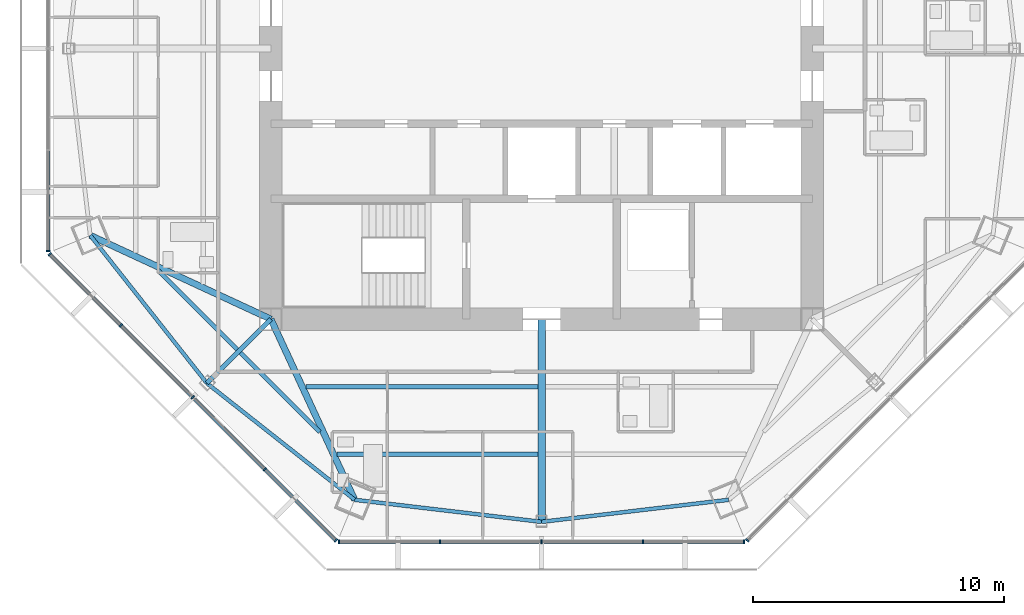
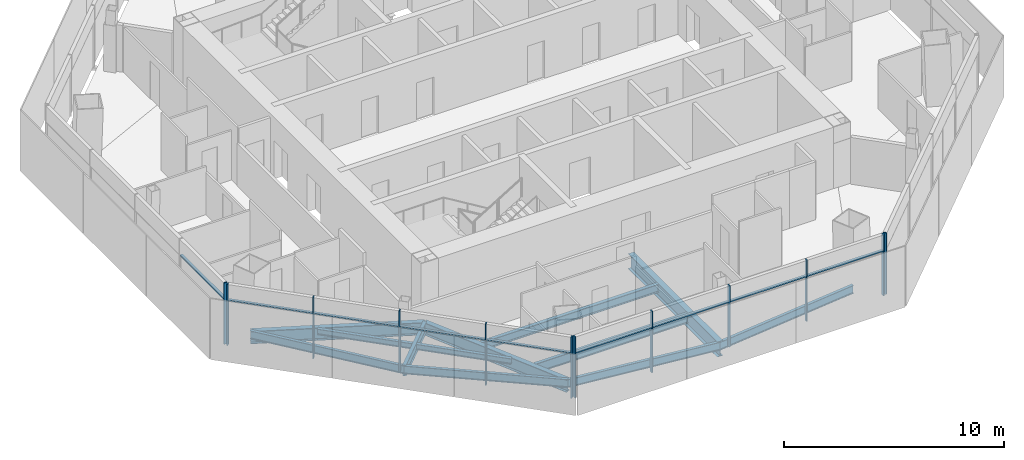
# One storey, part 2 of 15: 21 members, 12 beams, 4 elements without a shape of their own.
"""IFC4 building model written with IfcOpenShell, lengths in metres."""

from ifc_helpers import new_model, si_unit, direction, frame, origin, origin_2d, place, context, subcontext, project, spatial, rectangle, i_section, extrude, source, transform, mapped, material, material_profile, profile_set, type_object, type_shapes, element, aggregate, save


model = new_model("IFC4")

# Units and contexts
model_context = context("Model", 3, precision=1e-05, world=origin(), true_north=direction((0.0, 1.0)))
body_context = subcontext(model_context, "Body", "Model", "MODEL_VIEW")
ifc_project = project(units=[si_unit("LENGTHUNIT", "METRE"), si_unit("AREAUNIT", "SQUARE_METRE"), si_unit("VOLUMEUNIT", "CUBIC_METRE"), si_unit("PLANEANGLEUNIT", "RADIAN"), si_unit("MASSUNIT", "GRAM", prefix="KILO")], contexts=[model_context])

# Site, building, storey
site_placement = place(None, origin())
site = spatial("IfcSite", under=ifc_project, at=site_placement, CompositionType="ELEMENT")
building_placement = place(site_placement, origin())
building = spatial("IfcBuilding", under=site, at=building_placement, Name="Mashrafa Tower", CompositionType="ELEMENT")
storey_placement = place(building_placement, frame((0.0, 0.0, 294.60009765625)))
storey = spatial("IfcBuildingStorey", under=building, at=storey_placement, Name="L72", CompositionType="ELEMENT", Elevation=294.60009765625)

# Beams
ifc_material_1 = material(Name="Steel ASTM A992", Category="steel")
ifc_material_profile_1 = material_profile(ifc_material_1, i_section(OverallWidth=0.164794921875, OverallDepth=0.309814453125, WebThickness=0.005859375, FlangeThickness=0.009765625, FilletRadius=0.007568359375, at=origin_2d()), Name="W12X26")
ifc_profile_set_1 = profile_set([ifc_material_profile_1], Name="Steel ASTM A992")
beam_type_1 = type_object("IfcBeamType", Name="Beam W12X26", PredefinedType="BEAM", material=ifc_profile_set_1)
for number, where, z_axis, x_axis, name in (
    (1, (-12.140380859375, -12.014404296875, -0.35498046875), (-0.707106781187, 0.707106781187, 0.0), (-0.707106781187, -0.707106781187, 0.0), "Floor beam L72 006"),
    (2, (-8.856689453125, -15.298095703125, -0.35498046875), (-0.707106781187, 0.707106781187, 0.0), (-0.707106781187, -0.707106781187, 0.0), "Floor beam L72 009"),
):
    element("IfcBeam", number, at=place(storey_placement, frame(where, z_axis=z_axis, x_axis=x_axis)), inside=storey, type_object=beam_type_1, Name=name, PredefinedType="BEAM", context=body_context, shape_type="SweptSolid", body=[
        extrude(i_section(OverallWidth=0.164794921875, OverallDepth=0.309814453125, WebThickness=0.005859375, FlangeThickness=0.009765625, FilletRadius=0.007568359375, at=origin_2d()), origin(), (0.0, 0.0, 1.0), 4.465576171875),
    ])
ifc_material_2 = material(Name="Steel ASTM A992", Category="steel")
ifc_material_profile_2 = material_profile(ifc_material_2, i_section(OverallWidth=0.15234375, OverallDepth=0.449462890625, WebThickness=0.007568359375, FlangeThickness=0.0107421875, FilletRadius=0.01025390625, at=origin_2d()), Name="W18X35")
ifc_profile_set_2 = profile_set([ifc_material_profile_2], Name="Steel ASTM A992")
beam_type_2 = type_object("IfcBeamType", Name="Beam W18X35", PredefinedType="BEAM", material=ifc_profile_set_2)
for number, where, z_axis, x_axis, name in (
    (3, (-18.00830078125, -7.459228515625, -0.4248046875), (0.619579997374, -0.784933517474, 0.0), (0.784933517474, 0.619579997374, 0.0), "Spandrel beam L72 042"),
    (4, (-13.354736328125, -13.354736328125, -0.4248046875), (0.784933517474, -0.619579997374, 0.0), (0.619579997374, 0.784933517474, 0.0), "Spandrel beam L72 044"),
    (5, (-7.459228515625, -18.00830078125, -0.4248046875), (0.993137285087, -0.116954405516, 0.0), (0.116954405516, 0.993137285087, 0.0), "Spandrel beam L72 046"),
    (6, (0.0, -18.88671875, -0.4248046875), (0.993137285087, 0.116954405516, 0.0), (-0.116954405516, 0.993137285087, 0.0), "Spandrel beam L72 048"),
):
    element("IfcBeam", number, at=place(storey_placement, frame(where, z_axis=z_axis, x_axis=x_axis)), inside=storey, type_object=beam_type_2, Name=name, PredefinedType="BEAM", context=body_context, shape_type="SweptSolid", body=[
        extrude(i_section(OverallWidth=0.15234375, OverallDepth=0.449462890625, WebThickness=0.007568359375, FlangeThickness=0.0107421875, FilletRadius=0.01025390625, at=origin_2d()), origin(), (0.0, 0.0, 1.0), 7.5107421875),
    ])
ifc_material_3 = material(Name="Steel ASTM A992", Category="steel")
ifc_material_profile_3 = material_profile(ifc_material_3, i_section(OverallWidth=0.191162109375, OverallDepth=0.459716796875, WebThickness=0.010009765625, FlangeThickness=0.01611328125, FilletRadius=0.01025390625, at=origin_2d()), Name="W18X55")
ifc_profile_set_3 = profile_set([ifc_material_profile_3], Name="Steel ASTM A992")
beam_type_3 = type_object("IfcBeamType", Name="Beam W18X55", PredefinedType="BEAM", material=ifc_profile_set_3)
beam_1_placement = place(storey_placement, frame((-0.14599609375, -13.49560546875, -0.429931640625), z_axis=(-1.0, 0.0, 0.0), x_axis=(0.0, -1.0, 0.0)))
element("IfcBeam", 7, at=beam_1_placement, inside=storey, type_object=beam_type_3, Name="Floor beam L72 012", PredefinedType="BEAM", context=body_context, shape_type="SweptSolid", body=[
    extrude(i_section(OverallWidth=0.191162109375, OverallDepth=0.459716796875, WebThickness=0.010009765625, FlangeThickness=0.01611328125, FilletRadius=0.01025390625, at=origin_2d()), origin(), (0.0, 0.0, 1.0), 9.263427734375),
])
ifc_material_4 = material(Name="Steel ASTM A992", Category="steel")
ifc_material_profile_4 = material_profile(ifc_material_4, i_section(OverallWidth=0.165771484375, OverallDepth=0.5283203125, WebThickness=0.009765625, FlangeThickness=0.013671875, FilletRadius=0.012939453125, at=origin_2d()), Name="W21X50")
ifc_profile_set_4 = profile_set([ifc_material_profile_4], Name="Steel ASTM A992")
beam_type_4 = type_object("IfcBeamType", Name="Beam W21X50", PredefinedType="BEAM", material=ifc_profile_set_4)
beam_2_placement = place(storey_placement, frame((-0.14599609375, -16.191162109375, -0.46435546875), z_axis=(-1.0, 0.0, 0.0), x_axis=(0.0, -1.0, 0.0)))
element("IfcBeam", 8, at=beam_2_placement, inside=storey, type_object=beam_type_4, Name="Floor beam L72 011", PredefinedType="BEAM", context=body_context, shape_type="SweptSolid", body=[
    extrude(i_section(OverallWidth=0.165771484375, OverallDepth=0.5283203125, WebThickness=0.009765625, FlangeThickness=0.013671875, FilletRadius=0.012939453125, at=origin_2d()), origin(), (0.0, 0.0, 1.0), 8.01416015625),
])
ifc_material_5 = material(Name="Steel ASTM A992", Category="steel")
ifc_material_profile_5 = material_profile(ifc_material_5, i_section(OverallWidth=0.177978515625, OverallDepth=0.599365234375, WebThickness=0.010009765625, FlangeThickness=0.012939453125, FilletRadius=0.012939453125, at=origin_2d()), Name="W24X55")
ifc_profile_set_5 = profile_set([ifc_material_profile_5], Name="Steel ASTM A992")
beam_type_5 = type_object("IfcBeamType", Name="Beam W24X55", PredefinedType="BEAM", material=ifc_profile_set_5)
beam_3_placement = place(storey_placement, frame((-10.800048828125, -10.800048828125, -0.499755859375), z_axis=(-0.707106781187, -0.707106781187, 0.0), x_axis=(0.707106781187, -0.707106781187, 0.0)))
element("IfcBeam", 9, at=beam_3_placement, inside=storey, type_object=beam_type_5, Name="Radial girder L72 026", PredefinedType="BEAM", context=body_context, shape_type="SweptSolid", body=[
    extrude(i_section(OverallWidth=0.177978515625, OverallDepth=0.599365234375, WebThickness=0.010009765625, FlangeThickness=0.012939453125, FilletRadius=0.012939453125, at=origin_2d()), origin(), (0.0, 0.0, 1.0), 3.61279296875),
])
ifc_material_6 = material(Name="Steel ASTM A992", Category="steel")
ifc_material_profile_6 = material_profile(ifc_material_6, i_section(OverallWidth=0.256591796875, OverallDepth=0.693359375, WebThickness=0.014404296875, FlangeThickness=0.023681640625, FilletRadius=0.01513671875, at=origin_2d()), Name="W27X114")
ifc_profile_set_6 = profile_set([ifc_material_profile_6], Name="Steel ASTM A992")
beam_type_6 = type_object("IfcBeamType", Name="Beam W27X114", PredefinedType="BEAM", material=ifc_profile_set_6)
for number, where, z_axis, x_axis, name in (
    (10, (-10.800048828125, -10.800048828125, -0.546875), (-0.907290876602, 0.420503585281, 0.0), (-0.420503585281, -0.907290876602, 0.0), "Radial girder L72 025"),
    (11, (-10.800048828125, -10.800048828125, -0.546875), (0.420503585281, -0.907290876602, 0.0), (0.907290876602, 0.420503585281, 0.0), "Radial girder L72 027"),
):
    element("IfcBeam", number, at=place(storey_placement, frame(where, z_axis=z_axis, x_axis=x_axis)), inside=storey, type_object=beam_type_6, Name=name, PredefinedType="BEAM", context=body_context, shape_type="SweptSolid", body=[
        extrude(i_section(OverallWidth=0.256591796875, OverallDepth=0.693359375, WebThickness=0.014404296875, FlangeThickness=0.023681640625, FilletRadius=0.01513671875, at=origin_2d()), origin(), (0.0, 0.0, 1.0), 7.94482421875),
    ])
ifc_material_7 = material(Name="Steel ASTM A992", Category="steel")
ifc_material_profile_7 = material_profile(ifc_material_7, i_section(OverallWidth=0.2919921875, OverallDepth=0.8408203125, WebThickness=0.0146484375, FlangeThickness=0.021728515625, FilletRadius=0.017333984375, at=origin_2d()), Name="W33X130")
ifc_profile_set_7 = profile_set([ifc_material_profile_7], Name="Steel ASTM A992")
beam_type_7 = type_object("IfcBeamType", Name="Beam W33X130", PredefinedType="BEAM", material=ifc_profile_set_7)
beam_4_placement = place(storey_placement, frame((0.0, -10.800048828125, -0.620361328125), z_axis=(0.0, -1.0, 0.0), x_axis=(1.0, 0.0, 0.0)))
element("IfcBeam", 12, at=beam_4_placement, inside=storey, type_object=beam_type_7, Name="Radial girder L72 032", PredefinedType="BEAM", context=body_context, shape_type="SweptSolid", body=[
    extrude(i_section(OverallWidth=0.2919921875, OverallDepth=0.8408203125, WebThickness=0.0146484375, FlangeThickness=0.021728515625, FilletRadius=0.017333984375, at=origin_2d()), origin(), (0.0, 0.0, 1.0), 8.086669921875),
])

# Curtain wall, member
ifc_material_8 = material(Name="Unitised aluminium curtain wall", Category="aluminium")
curtain_wall_type = type_object("IfcCurtainWallType", Name="Apartment curtain wall, zone 4 CW-D 160 deep", PredefinedType="NOTDEFINED", material=ifc_material_8)
curtain_wall_1_placement = place(storey_placement, origin())
curtain_wall_1 = element("IfcCurtainWall", 13, at=curtain_wall_1_placement, inside=storey, type_object=curtain_wall_type, Name="Apartment curtain wall, zone 4 L72 west", PredefinedType="NOTDEFINED")
ifc_material_9 = material(Name="Extruded aluminium mullion", Category="aluminium")
ifc_material_profile_8 = material_profile(ifc_material_9, rectangle(XDim=0.159912109375, YDim=0.06005859375, at=origin_2d()), Name="Mullion 60x160")
ifc_profile_set_8 = profile_set([ifc_material_profile_8], Name="Extruded aluminium mullion")
member_type_1 = type_object("IfcMemberType", Name="Mullion CW-D 60 x 160", PredefinedType="MULLION", material=ifc_profile_set_8)
shared_shape_1 = source(origin(), body_context, "Body", "SweptSolid", [
    extrude(rectangle(XDim=0.159912109375, YDim=0.06005859375, at=origin_2d()), origin(), (0.0, 0.0, 1.0), 3.39990234375),
])
type_shapes(member_type_1, [shared_shape_1])
member_1_placement = place(storey_placement, frame((-19.680908203125, -8.078857421875, 0.0), z_axis=(0.0, 0.0, 1.0), x_axis=(1.0, 0.0, 0.0)))
member_1 = element("IfcMember", 14, at=member_1_placement, type_object=member_type_1, Name="CW-D mullion 5", PredefinedType="MULLION", context=body_context, shape_type="MappedRepresentation", body=[
    mapped(shared_shape_1, transform((0.0, 0.0, 0.0))),
])

# Curtain wall, members
curtain_wall_2_placement = place(storey_placement, origin())
curtain_wall_2 = element("IfcCurtainWall", 15, at=curtain_wall_2_placement, inside=storey, type_object=curtain_wall_type, Name="Apartment curtain wall, zone 4 L72 south-west", PredefinedType="NOTDEFINED")
member_2_placement = place(storey_placement, frame((-19.629150390625, -8.203857421875, 0.0), z_axis=(0.0, 0.0, 1.0), x_axis=(0.707106781187, 0.707106781187, 0.0)))
member_2 = element("IfcMember", 16, at=member_2_placement, type_object=member_type_1, Name="CW-D mullion 1", PredefinedType="MULLION", context=body_context, shape_type="MappedRepresentation", body=[
    mapped(shared_shape_1, transform((0.0, 0.0, 0.0))),
])
member_3_placement = place(storey_placement, frame((-16.783447265625, -11.049560546875, 0.0), z_axis=(0.0, 0.0, 1.0), x_axis=(0.707106781187, 0.707106781187, 0.0)))
member_3 = element("IfcMember", 17, at=member_3_placement, type_object=member_type_1, Name="CW-D mullion 2", PredefinedType="MULLION", context=body_context, shape_type="MappedRepresentation", body=[
    mapped(shared_shape_1, transform((0.0, 0.0, 0.0))),
])
member_4_placement = place(storey_placement, frame((-13.91650390625, -13.91650390625, 0.0), z_axis=(0.0, 0.0, 1.0), x_axis=(0.707106781187, 0.707106781187, 0.0)))
member_4 = element("IfcMember", 18, at=member_4_placement, type_object=member_type_1, Name="CW-D mullion 3", PredefinedType="MULLION", context=body_context, shape_type="MappedRepresentation", body=[
    mapped(shared_shape_1, transform((0.0, 0.0, 0.0))),
])
member_5_placement = place(storey_placement, frame((-11.049560546875, -16.783447265625, 0.0), z_axis=(0.0, 0.0, 1.0), x_axis=(0.707106781187, 0.707106781187, 0.0)))
member_5 = element("IfcMember", 19, at=member_5_placement, type_object=member_type_1, Name="CW-D mullion 4", PredefinedType="MULLION", context=body_context, shape_type="MappedRepresentation", body=[
    mapped(shared_shape_1, transform((0.0, 0.0, 0.0))),
])
member_6_placement = place(storey_placement, frame((-8.203857421875, -19.629150390625, 0.0), z_axis=(0.0, 0.0, 1.0), x_axis=(0.707106781187, 0.707106781187, 0.0)))
member_6 = element("IfcMember", 20, at=member_6_placement, type_object=member_type_1, Name="CW-D mullion 5", PredefinedType="MULLION", context=body_context, shape_type="MappedRepresentation", body=[
    mapped(shared_shape_1, transform((0.0, 0.0, 0.0))),
])

curtain_wall_3_placement = place(storey_placement, origin())
curtain_wall_3 = element("IfcCurtainWall", 21, at=curtain_wall_3_placement, inside=storey, type_object=curtain_wall_type, Name="Apartment curtain wall, zone 4 L72 south", PredefinedType="NOTDEFINED")
member_7_placement = place(storey_placement, frame((-8.078857421875, -19.680908203125, 0.0), z_axis=(0.0, 0.0, 1.0), x_axis=(0.0, 1.0, 0.0)))
member_7 = element("IfcMember", 22, at=member_7_placement, type_object=member_type_1, Name="CW-D mullion 1", PredefinedType="MULLION", context=body_context, shape_type="MappedRepresentation", body=[
    mapped(shared_shape_1, transform((0.0, 0.0, 0.0))),
])
member_8_placement = place(storey_placement, frame((-4.054443359375, -19.680908203125, 0.0), z_axis=(0.0, 0.0, 1.0), x_axis=(0.0, 1.0, 0.0)))
member_8 = element("IfcMember", 23, at=member_8_placement, type_object=member_type_1, Name="CW-D mullion 2", PredefinedType="MULLION", context=body_context, shape_type="MappedRepresentation", body=[
    mapped(shared_shape_1, transform((0.0, 0.0, 0.0))),
])
member_9_placement = place(storey_placement, frame((0.0, -19.680908203125, 0.0), z_axis=(0.0, 0.0, 1.0), x_axis=(0.0, 1.0, 0.0)))
member_9 = element("IfcMember", 24, at=member_9_placement, type_object=member_type_1, Name="CW-D mullion 3", PredefinedType="MULLION", context=body_context, shape_type="MappedRepresentation", body=[
    mapped(shared_shape_1, transform((0.0, 0.0, 0.0))),
])
member_10_placement = place(storey_placement, frame((4.054443359375, -19.680908203125, 0.0), z_axis=(0.0, 0.0, 1.0), x_axis=(0.0, 1.0, 0.0)))
member_10 = element("IfcMember", 25, at=member_10_placement, type_object=member_type_1, Name="CW-D mullion 4", PredefinedType="MULLION", context=body_context, shape_type="MappedRepresentation", body=[
    mapped(shared_shape_1, transform((0.0, 0.0, 0.0))),
])
member_11_placement = place(storey_placement, frame((8.078857421875, -19.680908203125, 0.0), z_axis=(0.0, 0.0, 1.0), x_axis=(0.0, 1.0, 0.0)))
member_11 = element("IfcMember", 26, at=member_11_placement, type_object=member_type_1, Name="CW-D mullion 5", PredefinedType="MULLION", context=body_context, shape_type="MappedRepresentation", body=[
    mapped(shared_shape_1, transform((0.0, 0.0, 0.0))),
])

# Curtain wall, member
curtain_wall_4_placement = place(storey_placement, origin())
curtain_wall_4 = element("IfcCurtainWall", 27, at=curtain_wall_4_placement, inside=storey, type_object=curtain_wall_type, Name="Apartment curtain wall, zone 4 L72 south-east", PredefinedType="NOTDEFINED")
member_12_placement = place(storey_placement, frame((8.203857421875, -19.629150390625, 0.0), z_axis=(0.0, 0.0, 1.0), x_axis=(-0.707106781187, 0.707106781187, 0.0)))
member_12 = element("IfcMember", 28, at=member_12_placement, type_object=member_type_1, Name="CW-D mullion 1", PredefinedType="MULLION", context=body_context, shape_type="MappedRepresentation", body=[
    mapped(shared_shape_1, transform((0.0, 0.0, 0.0))),
])
aggregate(curtain_wall_4, [member_12])

# Member
ifc_material_10 = material(Name="Extruded aluminium transom", Category="aluminium")
ifc_material_profile_9 = material_profile(ifc_material_10, rectangle(XDim=0.1279296875, YDim=0.074951171875, at=origin_2d()), Name="Transom 75x128")
ifc_profile_set_9 = profile_set([ifc_material_profile_9], Name="Extruded aluminium transom")
member_type_2 = type_object("IfcMemberType", Name="Transom CW-D 75 x 128", PredefinedType="MULLION", material=ifc_profile_set_9)
shared_shape_2 = source(origin(), body_context, "Body", "SweptSolid", [
    extrude(rectangle(XDim=0.1279296875, YDim=0.074951171875, at=origin_2d()), origin(), (0.0, 0.0, 1.0), 3.964599609375),
])
member_13_placement = place(storey_placement, frame((-19.680908203125, -4.08447265625, 2.5), z_axis=(0.0, -1.0, 0.0), x_axis=(1.0, 0.0, 0.0)))
member_13 = element("IfcMember", 29, at=member_13_placement, type_object=member_type_2, Name="CW-D transom 4", PredefinedType="MULLION", context=body_context, shape_type="MappedRepresentation", body=[
    mapped(shared_shape_2, transform((0.0, 0.0, 0.0))),
])

aggregate(curtain_wall_1, [member_1, member_13])

member_14_placement = place(storey_placement, frame((-8.049072265625, -19.680908203125, 2.5), z_axis=(1.0, 0.0, 0.0), x_axis=(0.0, 1.0, 0.0)))
member_14 = element("IfcMember", 30, at=member_14_placement, type_object=member_type_2, Name="CW-D transom 1", PredefinedType="MULLION", context=body_context, shape_type="MappedRepresentation", body=[
    mapped(shared_shape_2, transform((0.0, 0.0, 0.0))),
])

member_15_placement = place(storey_placement, frame((4.08447265625, -19.680908203125, 2.5), z_axis=(1.0, 0.0, 0.0), x_axis=(0.0, 1.0, 0.0)))
member_15 = element("IfcMember", 31, at=member_15_placement, type_object=member_type_2, Name="CW-D transom 4", PredefinedType="MULLION", context=body_context, shape_type="MappedRepresentation", body=[
    mapped(shared_shape_2, transform((0.0, 0.0, 0.0))),
])

shared_shape_3 = source(origin(), body_context, "Body", "SweptSolid", [
    extrude(rectangle(XDim=0.1279296875, YDim=0.074951171875, at=origin_2d()), origin(), (0.0, 0.0, 1.0), 3.994384765625),
])
member_16_placement = place(storey_placement, frame((-16.76220703125, -11.07080078125, 2.5), z_axis=(0.707106781187, -0.707106781187, 0.0), x_axis=(0.707106781187, 0.707106781187, 0.0)))
member_16 = element("IfcMember", 32, at=member_16_placement, type_object=member_type_2, Name="CW-D transom 2", PredefinedType="MULLION", context=body_context, shape_type="MappedRepresentation", body=[
    mapped(shared_shape_3, transform((0.0, 0.0, 0.0))),
])

member_17_placement = place(storey_placement, frame((-13.895263671875, -13.937744140625, 2.5), z_axis=(0.707106781187, -0.707106781187, 0.0), x_axis=(0.707106781187, 0.707106781187, 0.0)))
member_17 = element("IfcMember", 33, at=member_17_placement, type_object=member_type_2, Name="CW-D transom 3", PredefinedType="MULLION", context=body_context, shape_type="MappedRepresentation", body=[
    mapped(shared_shape_3, transform((0.0, 0.0, 0.0))),
])

member_18_placement = place(storey_placement, frame((-4.0244140625, -19.680908203125, 2.5), z_axis=(1.0, 0.0, 0.0), x_axis=(0.0, 1.0, 0.0)))
member_18 = element("IfcMember", 34, at=member_18_placement, type_object=member_type_2, Name="CW-D transom 2", PredefinedType="MULLION", context=body_context, shape_type="MappedRepresentation", body=[
    mapped(shared_shape_3, transform((0.0, 0.0, 0.0))),
])

member_19_placement = place(storey_placement, frame((0.030029296875, -19.680908203125, 2.5), z_axis=(1.0, 0.0, 0.0), x_axis=(0.0, 1.0, 0.0)))
member_19 = element("IfcMember", 35, at=member_19_placement, type_object=member_type_2, Name="CW-D transom 3", PredefinedType="MULLION", context=body_context, shape_type="MappedRepresentation", body=[
    mapped(shared_shape_3, transform((0.0, 0.0, 0.0))),
])

aggregate(curtain_wall_3, [member_7, member_8, member_9, member_10, member_11, member_14, member_18, member_19, member_15])

shared_shape_4 = source(origin(), body_context, "Body", "SweptSolid", [
    extrude(rectangle(XDim=0.1279296875, YDim=0.074951171875, at=origin_2d()), origin(), (0.0, 0.0, 1.0), 3.96435546875),
])
type_shapes(member_type_2, [shared_shape_2, shared_shape_3, shared_shape_4])
member_20_placement = place(storey_placement, frame((-19.60791015625, -8.22509765625, 2.5), z_axis=(0.707106781187, -0.707106781187, 0.0), x_axis=(0.707106781187, 0.707106781187, 0.0)))
member_20 = element("IfcMember", 36, at=member_20_placement, type_object=member_type_2, Name="CW-D transom 1", PredefinedType="MULLION", context=body_context, shape_type="MappedRepresentation", body=[
    mapped(shared_shape_4, transform((0.0, 0.0, 0.0))),
])

member_21_placement = place(storey_placement, frame((-11.0283203125, -16.8046875, 2.5), z_axis=(0.707106781187, -0.707106781187, 0.0), x_axis=(0.707106781187, 0.707106781187, 0.0)))
member_21 = element("IfcMember", 37, at=member_21_placement, type_object=member_type_2, Name="CW-D transom 4", PredefinedType="MULLION", context=body_context, shape_type="MappedRepresentation", body=[
    mapped(shared_shape_4, transform((0.0, 0.0, 0.0))),
])

aggregate(curtain_wall_2, [member_2, member_3, member_4, member_5, member_6, member_20, member_16, member_17, member_21])

save(model, "model.ifc")
